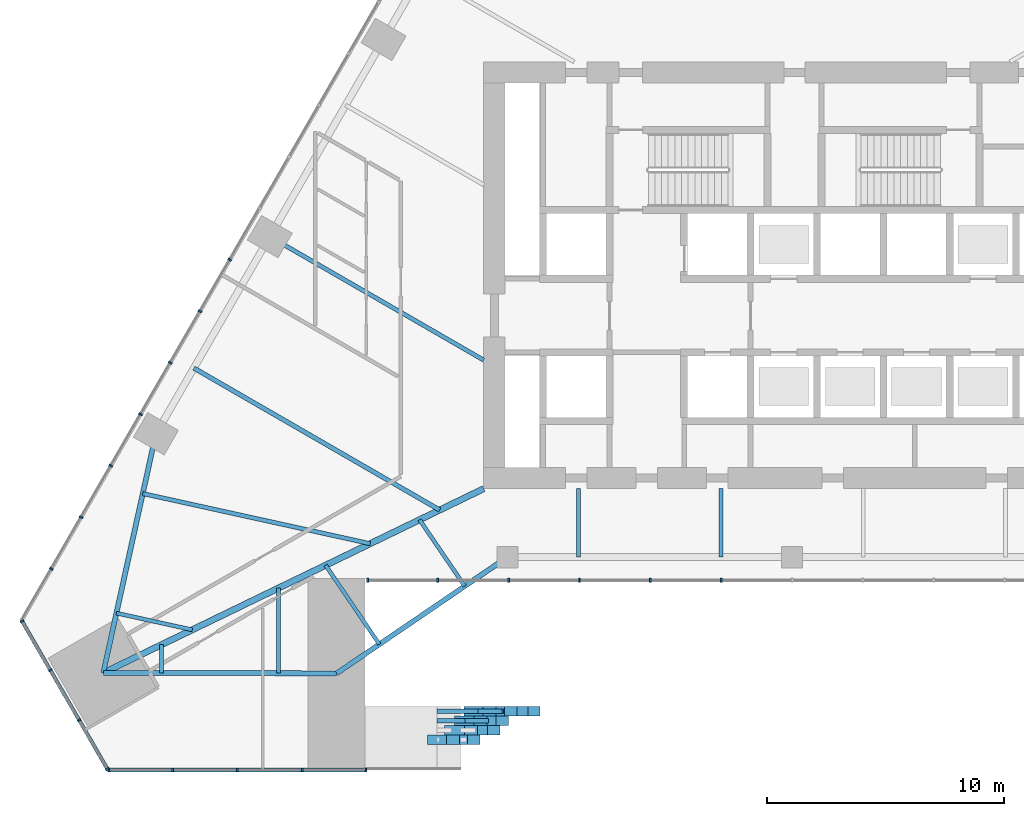
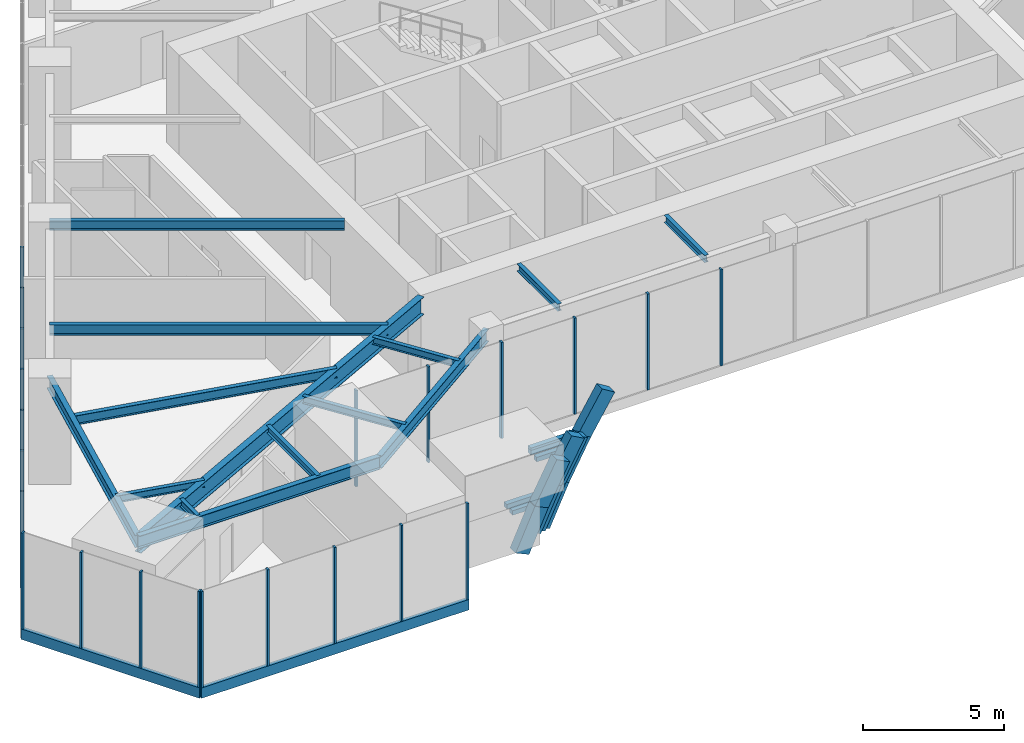
# One storey, part 3 of 30: 33 members, 19 beams, 4 elements without a shape of their own.
"""IFC4 building model written with IfcOpenShell, lengths in metres."""

from ifc_helpers import new_model, si_unit, direction, frame, origin, origin_2d, place, context, subcontext, project, spatial, rectangle, i_section, extrude, material, layer, layer_set, material_profile, profile_set, type_object, element, aggregate, save


model = new_model("IFC4")

# Units and contexts
model_context = context("Model", 3, precision=1e-05, world=origin(), true_north=direction((0.0, 1.0)))
body_context = subcontext(model_context, "Body", "Model", "MODEL_VIEW")
ifc_project = project(units=[si_unit("LENGTHUNIT", "METRE"), si_unit("AREAUNIT", "SQUARE_METRE"), si_unit("VOLUMEUNIT", "CUBIC_METRE"), si_unit("PLANEANGLEUNIT", "RADIAN"), si_unit("MASSUNIT", "GRAM", prefix="KILO")], contexts=[model_context])

# Site, building, storey
site_placement = place(None, origin())
site = spatial("IfcSite", under=ifc_project, at=site_placement, CompositionType="ELEMENT")
building_placement = place(site_placement, origin())
building = spatial("IfcBuilding", under=site, at=building_placement, Name="Firuza Gate Tower and Library", CompositionType="ELEMENT")
storey_placement = place(building_placement, frame((0.0, 0.0, 12.60009765625)))
storey = spatial("IfcBuildingStorey", under=building, at=storey_placement, Name="L02", CompositionType="ELEMENT", Elevation=12.60009765625)

# Members
ifc_material_1 = material(Name="Concrete C60/75", Category="concrete")
ifc_material_profile_1 = material_profile(ifc_material_1, rectangle(XDim=0.39990234375, YDim=0.60009765625, at=origin_2d()))
ifc_profile_set_1 = profile_set([ifc_material_profile_1], Name="Concrete C60/75")
member_type_1 = type_object("IfcMemberType", Name="Arch rib 600x400", PredefinedType="USERDEFINED", material=ifc_profile_set_1)
member_1_placement = place(storey_placement, frame((59.913330078125, 55.415283203125, 0.425537109375), z_axis=(0.411692882507, 0.0, 0.911322648952), x_axis=(0.0, 1.0, 0.0)))
element("IfcMember", 1, at=member_1_placement, inside=storey, type_object=member_type_1, Name="Arch rib 1.8", ObjectType="ARCH RIB", PredefinedType="USERDEFINED", context=body_context, shape_type="SweptSolid", body=[
    extrude(rectangle(XDim=0.39990234375, YDim=0.60009765625, at=origin_2d()), origin(), (0.0, 0.0, 1.0), 1.91015625),
])
member_2_placement = place(storey_placement, frame((60.69970703125, 55.415283203125, 2.166259765625), z_axis=(0.462587848354, 0.0, 0.886573450175), x_axis=(0.0, 1.0, 0.0)))
element("IfcMember", 2, at=member_2_placement, inside=storey, type_object=member_type_1, Name="Arch rib 1.9", ObjectType="ARCH RIB", PredefinedType="USERDEFINED", context=body_context, shape_type="SweptSolid", body=[
    extrude(rectangle(XDim=0.39990234375, YDim=0.60009765625, at=origin_2d()), origin(), (0.0, 0.0, 1.0), 1.909912109375),
])
member_3_placement = place(storey_placement, frame((60.620849609375, 55.8154296875, 0.8310546875), z_axis=(0.429170304413, 0.0, 0.903223587939), x_axis=(0.0, 1.0, 0.0)))
element("IfcMember", 3, at=member_3_placement, inside=storey, type_object=member_type_1, Name="Arch rib 2.8", ObjectType="ARCH RIB", PredefinedType="USERDEFINED", context=body_context, shape_type="SweptSolid", body=[
    extrude(rectangle(XDim=0.39990234375, YDim=0.60009765625, at=origin_2d()), origin(), (0.0, 0.0, 1.0), 1.974609375),
])
member_4_placement = place(storey_placement, frame((61.46826171875, 55.8154296875, 2.614501953125), z_axis=(0.481890268122, 0.0, 0.876231572982), x_axis=(0.0, 1.0, 0.0)))
element("IfcMember", 4, at=member_4_placement, inside=storey, type_object=member_type_1, Name="Arch rib 2.9", ObjectType="ARCH RIB", PredefinedType="USERDEFINED", context=body_context, shape_type="SweptSolid", body=[
    extrude(rectangle(XDim=0.39990234375, YDim=0.60009765625, at=origin_2d()), origin(), (0.0, 0.0, 1.0), 1.974365234375),
])
for number, where, z_axis, x_axis, name in (
    (5, (61.034423828125, 56.21533203125, 0.554931640625), (0.425200760044, 0.0, 0.905099062898), (0.0, 1.0, 0.0), "Arch rib 3.8"),
    (6, (61.856201171875, 56.21533203125, 2.30419921875), (0.477373396216, 0.0, 0.878700540904), (0.0, 1.0, 0.0), "Arch rib 3.9"),
):
    element("IfcMember", number, at=place(storey_placement, frame(where, z_axis=z_axis, x_axis=x_axis)), inside=storey, type_object=member_type_1, Name=name, ObjectType="ARCH RIB", PredefinedType="USERDEFINED", context=body_context, shape_type="SweptSolid", body=[
        extrude(rectangle(XDim=0.39990234375, YDim=0.60009765625, at=origin_2d()), origin(), (0.0, 0.0, 1.0), 1.9326171875),
    ])
member_5_placement = place(storey_placement, frame((61.447998046875, 56.615478515625, 0.279296875), z_axis=(0.420997510254, 0.0, 0.907061793022), x_axis=(0.0, 1.0, 0.0)))
element("IfcMember", 7, at=member_5_placement, inside=storey, type_object=member_type_1, Name="Arch rib 4.8", ObjectType="ARCH RIB", PredefinedType="USERDEFINED", context=body_context, shape_type="SweptSolid", body=[
    extrude(rectangle(XDim=0.39990234375, YDim=0.60009765625, at=origin_2d()), origin(), (0.0, 0.0, 1.0), 1.89111328125),
])
member_6_placement = place(storey_placement, frame((62.244140625, 56.615478515625, 1.99462890625), z_axis=(0.472798144495, 0.0, 0.881170763565), x_axis=(0.0, 1.0, 0.0)))
element("IfcMember", 8, at=member_6_placement, inside=storey, type_object=member_type_1, Name="Arch rib 4.9", ObjectType="ARCH RIB", PredefinedType="USERDEFINED", context=body_context, shape_type="SweptSolid", body=[
    extrude(rectangle(XDim=0.39990234375, YDim=0.60009765625, at=origin_2d()), origin(), (0.0, 0.0, 1.0), 1.890869140625),
])
member_7_placement = place(storey_placement, frame((63.13818359375, 56.615478515625, 3.660888671875), z_axis=(0.52308868496, 0.0, 0.852278257183), x_axis=(0.0, 1.0, 0.0)))
element("IfcMember", 9, at=member_7_placement, inside=storey, type_object=member_type_1, Name="Arch rib 4.10", ObjectType="ARCH RIB", PredefinedType="USERDEFINED", context=body_context, shape_type="SweptSolid", body=[
    extrude(rectangle(XDim=0.39990234375, YDim=0.60009765625, at=origin_2d()), origin(), (0.0, 0.0, 1.0), 1.89111328125),
])

# Beams
ifc_material_2 = material(Name="Concrete C60/75", Category="concrete")
ifc_material_profile_2 = material_profile(ifc_material_2, rectangle(XDim=0.199951171875, YDim=0.199951171875, at=origin_2d()))
ifc_profile_set_2 = profile_set([ifc_material_profile_2], Name="Concrete C60/75")
beam_type_1 = type_object("IfcBeamType", Name="Arch rib bracket 200x200", PredefinedType="BEAM", material=ifc_profile_set_2)
beam_1_placement = place(storey_placement, frame((60.03125, 56.21533203125, 1.594482421875), z_axis=(1.0, 0.0, 0.0), x_axis=(0.0, 1.0, 0.0)))
element("IfcBeam", 10, at=beam_1_placement, inside=storey, type_object=beam_type_1, Name="Arch rib bracket 3.8", PredefinedType="BEAM", context=body_context, shape_type="SweptSolid", body=[
    extrude(rectangle(XDim=0.199951171875, YDim=0.199951171875, at=origin_2d()), origin(), (0.0, 0.0, 1.0), 1.169921875),
])
beam_2_placement = place(storey_placement, frame((61.0146484375, 56.21533203125, 3.552978515625), z_axis=(1.0, 0.0, 0.0), x_axis=(0.0, 1.0, 0.0)))
element("IfcBeam", 11, at=beam_2_placement, inside=storey, type_object=beam_type_1, Name="Arch rib bracket 3.9", PredefinedType="BEAM", context=body_context, shape_type="SweptSolid", body=[
    extrude(rectangle(XDim=0.199951171875, YDim=0.199951171875, at=origin_2d()), origin(), (0.0, 0.0, 1.0), 1.1884765625),
])
beam_3_placement = place(storey_placement, frame((60.03125, 56.615478515625, 1.62158203125), z_axis=(1.0, 0.0, 0.0), x_axis=(0.0, 1.0, 0.0)))
element("IfcBeam", 12, at=beam_3_placement, inside=storey, type_object=beam_type_1, Name="Arch rib bracket 4.8", PredefinedType="BEAM", context=body_context, shape_type="SweptSolid", body=[
    extrude(rectangle(XDim=0.199951171875, YDim=0.199951171875, at=origin_2d()), origin(), (0.0, 0.0, 1.0), 1.718994140625),
])
beam_4_placement = place(storey_placement, frame((61.0146484375, 56.615478515625, 3.61083984375), z_axis=(1.0, 0.0, 0.0), x_axis=(0.0, 1.0, 0.0)))
element("IfcBeam", 13, at=beam_4_placement, inside=storey, type_object=beam_type_1, Name="Arch rib bracket 4.9", PredefinedType="BEAM", context=body_context, shape_type="SweptSolid", body=[
    extrude(rectangle(XDim=0.199951171875, YDim=0.199951171875, at=origin_2d()), origin(), (0.0, 0.0, 1.0), 1.766357421875),
])
beam_5_placement = place(storey_placement, frame((61.0146484375, 56.615478515625, 3.7109375), z_axis=(1.0, 0.0, 0.0), x_axis=(0.0, 1.0, 0.0)))
element("IfcBeam", 14, at=beam_5_placement, inside=storey, type_object=beam_type_1, Name="Arch rib bracket 4.10", PredefinedType="BEAM", context=body_context, shape_type="SweptSolid", body=[
    extrude(rectangle(XDim=0.199951171875, YDim=0.199951171875, at=origin_2d()), origin(), (0.0, 0.0, 1.0), 1.812255859375),
])

# Curtain wall, members
ifc_material_3 = material(Name="Aluminium 6063-T6", Category="aluminium")
ifc_layer_1 = layer(ifc_material_3, 0.14990234375)
ifc_layer_set_1 = layer_set([ifc_layer_1], Name="Stick curtain wall, podium")
curtain_wall_type_1 = type_object("IfcCurtainWallType", Name="Stick curtain wall, podium", PredefinedType="NOTDEFINED", material=ifc_layer_set_1)
placement = place(storey_placement, origin())
curtain_wall_1 = element("IfcCurtainWall", 15, at=placement, inside=storey, type_object=curtain_wall_type_1, Name="CW5 L02 S", PredefinedType="NOTDEFINED")
ifc_material_4 = material(Name="Aluminium 6063-T6", Category="aluminium")
ifc_material_profile_3 = material_profile(ifc_material_4, rectangle(XDim=0.14990234375, YDim=0.080078125, at=origin_2d()))
ifc_profile_set_3 = profile_set([ifc_material_profile_3], Name="Aluminium 6063-T6")
member_type_2 = type_object("IfcMemberType", Name="Curtain wall mullion 80x150", PredefinedType="MULLION", material=ifc_profile_set_3)
member_8_placement = place(storey_placement, frame((46.19677734375, 54.140380859375, 0.14990234375), z_axis=(0.0, 0.0, 1.0), x_axis=(0.0, 1.0, 0.0)))
member_8 = element("IfcMember", 16, at=member_8_placement, type_object=member_type_2, Name="Mullion", PredefinedType="MULLION", context=body_context, shape_type="SweptSolid", body=[
    extrude(rectangle(XDim=0.14990234375, YDim=0.080078125, at=origin_2d()), origin(), (0.0, 0.0, 1.0), 4.14990234375),
])
member_9_placement = place(storey_placement, frame((48.88623046875, 54.140380859375, 0.14990234375), z_axis=(0.0, 0.0, 1.0), x_axis=(0.0, 1.0, 0.0)))
member_9 = element("IfcMember", 17, at=member_9_placement, type_object=member_type_2, Name="Mullion", PredefinedType="MULLION", context=body_context, shape_type="SweptSolid", body=[
    extrude(rectangle(XDim=0.14990234375, YDim=0.080078125, at=origin_2d()), origin(), (0.0, 0.0, 1.0), 4.14990234375),
])
member_10_placement = place(storey_placement, frame((51.615966796875, 54.140380859375, 0.14990234375), z_axis=(0.0, 0.0, 1.0), x_axis=(0.0, 1.0, 0.0)))
member_10 = element("IfcMember", 18, at=member_10_placement, type_object=member_type_2, Name="Mullion", PredefinedType="MULLION", context=body_context, shape_type="SweptSolid", body=[
    extrude(rectangle(XDim=0.14990234375, YDim=0.080078125, at=origin_2d()), origin(), (0.0, 0.0, 1.0), 4.14990234375),
])
member_11_placement = place(storey_placement, frame((54.345458984375, 54.140380859375, 0.14990234375), z_axis=(0.0, 0.0, 1.0), x_axis=(0.0, 1.0, 0.0)))
member_11 = element("IfcMember", 19, at=member_11_placement, type_object=member_type_2, Name="Mullion", PredefinedType="MULLION", context=body_context, shape_type="SweptSolid", body=[
    extrude(rectangle(XDim=0.14990234375, YDim=0.080078125, at=origin_2d()), origin(), (0.0, 0.0, 1.0), 4.14990234375),
])
member_12_placement = place(storey_placement, frame((57.034912109375, 54.140380859375, 0.14990234375), z_axis=(0.0, 0.0, 1.0), x_axis=(0.0, 1.0, 0.0)))
member_12 = element("IfcMember", 20, at=member_12_placement, type_object=member_type_2, Name="Mullion", PredefinedType="MULLION", context=body_context, shape_type="SweptSolid", body=[
    extrude(rectangle(XDim=0.14990234375, YDim=0.080078125, at=origin_2d()), origin(), (0.0, 0.0, 1.0), 4.14990234375),
])

ifc_material_5 = material(Name="Aluminium 6063-T6", Category="aluminium")
ifc_layer_2 = layer(ifc_material_5, 0.14990234375)
ifc_layer_set_2 = layer_set([ifc_layer_2], Name="Stick curtain wall, gate lobby")
curtain_wall_type_2 = type_object("IfcCurtainWallType", Name="Stick curtain wall, gate lobby", PredefinedType="NOTDEFINED", material=ifc_layer_set_2)
curtain_wall_2 = element("IfcCurtainWall", 21, at=placement, inside=storey, type_object=curtain_wall_type_2, Name="CW7 L02 gate lobby", PredefinedType="NOTDEFINED")
member_13_placement = place(storey_placement, frame((57.114990234375, 62.140380859375, 0.14990234375), z_axis=(0.0, 0.0, 1.0), x_axis=(0.0, 1.0, 0.0)))
member_13 = element("IfcMember", 22, at=member_13_placement, type_object=member_type_2, Name="Mullion", PredefinedType="MULLION", context=body_context, shape_type="SweptSolid", body=[
    extrude(rectangle(XDim=0.14990234375, YDim=0.080078125, at=origin_2d()), origin(), (0.0, 0.0, 1.0), 4.14990234375),
])
member_14_placement = place(storey_placement, frame((60.0625, 62.140380859375, 0.14990234375), z_axis=(0.0, 0.0, 1.0), x_axis=(0.0, 1.0, 0.0)))
member_14 = element("IfcMember", 23, at=member_14_placement, type_object=member_type_2, Name="Mullion", PredefinedType="MULLION", context=body_context, shape_type="SweptSolid", body=[
    extrude(rectangle(XDim=0.14990234375, YDim=0.080078125, at=origin_2d()), origin(), (0.0, 0.0, 1.0), 4.14990234375),
])
member_15_placement = place(storey_placement, frame((63.050048828125, 62.140380859375, 0.14990234375), z_axis=(0.0, 0.0, 1.0), x_axis=(0.0, 1.0, 0.0)))
member_15 = element("IfcMember", 24, at=member_15_placement, type_object=member_type_2, Name="Mullion", PredefinedType="MULLION", context=body_context, shape_type="SweptSolid", body=[
    extrude(rectangle(XDim=0.14990234375, YDim=0.080078125, at=origin_2d()), origin(), (0.0, 0.0, 1.0), 4.14990234375),
])
member_16_placement = place(storey_placement, frame((66.03759765625, 62.140380859375, 0.14990234375), z_axis=(0.0, 0.0, 1.0), x_axis=(0.0, 1.0, 0.0)))
member_16 = element("IfcMember", 25, at=member_16_placement, type_object=member_type_2, Name="Mullion", PredefinedType="MULLION", context=body_context, shape_type="SweptSolid", body=[
    extrude(rectangle(XDim=0.14990234375, YDim=0.080078125, at=origin_2d()), origin(), (0.0, 0.0, 1.0), 4.14990234375),
])
member_17_placement = place(storey_placement, frame((69.02490234375, 62.140380859375, 0.14990234375), z_axis=(0.0, 0.0, 1.0), x_axis=(0.0, 1.0, 0.0)))
member_17 = element("IfcMember", 26, at=member_17_placement, type_object=member_type_2, Name="Mullion", PredefinedType="MULLION", context=body_context, shape_type="SweptSolid", body=[
    extrude(rectangle(XDim=0.14990234375, YDim=0.080078125, at=origin_2d()), origin(), (0.0, 0.0, 1.0), 4.14990234375),
])
member_18_placement = place(storey_placement, frame((72.012451171875, 62.140380859375, 0.14990234375), z_axis=(0.0, 0.0, 1.0), x_axis=(0.0, 1.0, 0.0)))
member_18 = element("IfcMember", 27, at=member_18_placement, type_object=member_type_2, Name="Mullion", PredefinedType="MULLION", context=body_context, shape_type="SweptSolid", body=[
    extrude(rectangle(XDim=0.14990234375, YDim=0.080078125, at=origin_2d()), origin(), (0.0, 0.0, 1.0), 4.14990234375),
])
aggregate(curtain_wall_2, [member_13, member_14, member_15, member_16, member_17, member_18])

curtain_wall_3 = element("IfcCurtainWall", 28, at=placement, inside=storey, type_object=curtain_wall_type_1, Name="CW5 L02 W", PredefinedType="NOTDEFINED")
member_19_placement = place(storey_placement, frame((51.291748046875, 75.655517578125, 0.14990234375), z_axis=(0.0, 0.0, 1.0), x_axis=(0.866025403784, -0.5, 0.0)))
member_19 = element("IfcMember", 29, at=member_19_placement, type_object=member_type_2, Name="Mullion", PredefinedType="MULLION", context=body_context, shape_type="SweptSolid", body=[
    extrude(rectangle(XDim=0.14990234375, YDim=0.080078125, at=origin_2d()), origin(), (0.0, 0.0, 1.0), 4.14990234375),
])
member_20_placement = place(storey_placement, frame((50.037841796875, 73.4833984375, 0.14990234375), z_axis=(0.0, 0.0, 1.0), x_axis=(0.866025403784, -0.5, 0.0)))
member_20 = element("IfcMember", 30, at=member_20_placement, type_object=member_type_2, Name="Mullion", PredefinedType="MULLION", context=body_context, shape_type="SweptSolid", body=[
    extrude(rectangle(XDim=0.14990234375, YDim=0.080078125, at=origin_2d()), origin(), (0.0, 0.0, 1.0), 4.14990234375),
])
member_21_placement = place(storey_placement, frame((48.78369140625, 71.311279296875, 0.14990234375), z_axis=(0.0, 0.0, 1.0), x_axis=(0.866025403784, -0.5, 0.0)))
member_21 = element("IfcMember", 31, at=member_21_placement, type_object=member_type_2, Name="Mullion", PredefinedType="MULLION", context=body_context, shape_type="SweptSolid", body=[
    extrude(rectangle(XDim=0.14990234375, YDim=0.080078125, at=origin_2d()), origin(), (0.0, 0.0, 1.0), 4.14990234375),
])
member_22_placement = place(storey_placement, frame((47.529541015625, 69.13916015625, 0.14990234375), z_axis=(0.0, 0.0, 1.0), x_axis=(0.866025403784, -0.5, 0.0)))
member_22 = element("IfcMember", 32, at=member_22_placement, type_object=member_type_2, Name="Mullion", PredefinedType="MULLION", context=body_context, shape_type="SweptSolid", body=[
    extrude(rectangle(XDim=0.14990234375, YDim=0.080078125, at=origin_2d()), origin(), (0.0, 0.0, 1.0), 4.14990234375),
])
member_23_placement = place(storey_placement, frame((46.275634765625, 66.967041015625, 0.14990234375), z_axis=(0.0, 0.0, 1.0), x_axis=(0.866025403784, -0.5, 0.0)))
member_23 = element("IfcMember", 33, at=member_23_placement, type_object=member_type_2, Name="Mullion", PredefinedType="MULLION", context=body_context, shape_type="SweptSolid", body=[
    extrude(rectangle(XDim=0.14990234375, YDim=0.080078125, at=origin_2d()), origin(), (0.0, 0.0, 1.0), 4.14990234375),
])
member_24_placement = place(storey_placement, frame((45.021484375, 64.794921875, 0.14990234375), z_axis=(0.0, 0.0, 1.0), x_axis=(0.866025403784, -0.5, 0.0)))
member_24 = element("IfcMember", 34, at=member_24_placement, type_object=member_type_2, Name="Mullion", PredefinedType="MULLION", context=body_context, shape_type="SweptSolid", body=[
    extrude(rectangle(XDim=0.14990234375, YDim=0.080078125, at=origin_2d()), origin(), (0.0, 0.0, 1.0), 4.14990234375),
])
member_25_placement = place(storey_placement, frame((43.767333984375, 62.622802734375, 0.14990234375), z_axis=(0.0, 0.0, 1.0), x_axis=(0.866025403784, -0.5, 0.0)))
member_25 = element("IfcMember", 35, at=member_25_placement, type_object=member_type_2, Name="Mullion", PredefinedType="MULLION", context=body_context, shape_type="SweptSolid", body=[
    extrude(rectangle(XDim=0.14990234375, YDim=0.080078125, at=origin_2d()), origin(), (0.0, 0.0, 1.0), 4.14990234375),
])
aggregate(curtain_wall_3, [member_19, member_20, member_21, member_22, member_23, member_24, member_25])

curtain_wall_4 = element("IfcCurtainWall", 36, at=placement, inside=storey, type_object=curtain_wall_type_1, Name="CW5 L02 SW", PredefinedType="NOTDEFINED")
member_26_placement = place(storey_placement, frame((42.533447265625, 60.416015625, 0.14990234375), z_axis=(0.0, 0.0, 1.0), x_axis=(0.866025403784, 0.5, 0.0)))
member_26 = element("IfcMember", 37, at=member_26_placement, type_object=member_type_2, Name="Mullion", PredefinedType="MULLION", context=body_context, shape_type="SweptSolid", body=[
    extrude(rectangle(XDim=0.14990234375, YDim=0.080078125, at=origin_2d()), origin(), (0.0, 0.0, 1.0), 4.14990234375),
])
member_27_placement = place(storey_placement, frame((43.727783203125, 58.347412109375, 0.14990234375), z_axis=(0.0, 0.0, 1.0), x_axis=(0.866025403784, 0.5, 0.0)))
member_27 = element("IfcMember", 38, at=member_27_placement, type_object=member_type_2, Name="Mullion", PredefinedType="MULLION", context=body_context, shape_type="SweptSolid", body=[
    extrude(rectangle(XDim=0.14990234375, YDim=0.080078125, at=origin_2d()), origin(), (0.0, 0.0, 1.0), 4.14990234375),
])
member_28_placement = place(storey_placement, frame((44.9423828125, 56.243896484375, 0.14990234375), z_axis=(0.0, 0.0, 1.0), x_axis=(0.866025403784, 0.5, 0.0)))
member_28 = element("IfcMember", 39, at=member_28_placement, type_object=member_type_2, Name="Mullion", PredefinedType="MULLION", context=body_context, shape_type="SweptSolid", body=[
    extrude(rectangle(XDim=0.14990234375, YDim=0.080078125, at=origin_2d()), origin(), (0.0, 0.0, 1.0), 4.14990234375),
])
member_29_placement = place(storey_placement, frame((46.13671875, 54.175048828125, 0.14990234375), z_axis=(0.0, 0.0, 1.0), x_axis=(0.866025403784, 0.5, 0.0)))
member_29 = element("IfcMember", 40, at=member_29_placement, type_object=member_type_2, Name="Mullion", PredefinedType="MULLION", context=body_context, shape_type="SweptSolid", body=[
    extrude(rectangle(XDim=0.14990234375, YDim=0.080078125, at=origin_2d()), origin(), (0.0, 0.0, 1.0), 4.14990234375),
])

# Member
ifc_material_6 = material(Name="Aluminium 6063-T6", Category="aluminium")
ifc_material_profile_4 = material_profile(ifc_material_6, rectangle(XDim=0.14990234375, YDim=0.449951171875, at=origin_2d()))
ifc_profile_set_4 = profile_set([ifc_material_profile_4], Name="Aluminium 6063-T6")
member_type_3 = type_object("IfcMemberType", Name="Curtain wall transom 450x150", PredefinedType="USERDEFINED", material=ifc_profile_set_4)
member_30_placement = place(storey_placement, frame((46.15673828125, 54.140380859375, -0.0751953125), z_axis=(1.0, 0.0, 0.0), x_axis=(0.0, 1.0, 0.0)))
member_30 = element("IfcMember", 41, at=member_30_placement, type_object=member_type_3, Name="Transom", ObjectType="TRANSOM", PredefinedType="USERDEFINED", context=body_context, shape_type="SweptSolid", body=[
    extrude(rectangle(XDim=0.14990234375, YDim=0.449951171875, at=origin_2d()), origin(), (0.0, 0.0, 1.0), 10.918212890625),
])

aggregate(curtain_wall_1, [member_8, member_9, member_10, member_11, member_12, member_30])

member_31_placement = place(storey_placement, frame((42.513427734375, 60.45068359375, -0.0751953125), z_axis=(0.500005719219, -0.866022101766, 0.0), x_axis=(0.866022101766, 0.500005719219, 0.0)))
member_31 = element("IfcMember", 42, at=member_31_placement, type_object=member_type_3, Name="Transom", ObjectType="TRANSOM", PredefinedType="USERDEFINED", context=body_context, shape_type="SweptSolid", body=[
    extrude(rectangle(XDim=0.14990234375, YDim=0.449951171875, at=origin_2d()), origin(), (0.0, 0.0, 1.0), 7.28662109375),
])

aggregate(curtain_wall_4, [member_26, member_27, member_28, member_29, member_31])

# Beams
ifc_material_7 = material(Name="Steel S355", Category="steel")
ifc_material_profile_5 = material_profile(ifc_material_7, i_section(OverallWidth=0.1650390625, OverallDepth=0.31005859375, WebThickness=0.005859375, FlangeThickness=0.009765625, at=origin_2d()))
ifc_profile_set_5 = profile_set([ifc_material_profile_5], Name="Steel S355")
beam_type_2 = type_object("IfcBeamType", Name="W310x39 Floor beam", PredefinedType="JOIST", material=ifc_profile_set_5)
beam_6_placement = place(storey_placement, frame((46.513916015625, 60.75341796875, 4.14501953125), z_axis=(0.976601243751, -0.215058156564, 0.0), x_axis=(0.215058156564, 0.976601243751, 0.0)))
element("IfcBeam", 43, at=beam_6_placement, inside=storey, type_object=beam_type_2, Name="Floor beam L02 s01", PredefinedType="JOIST", context=body_context, shape_type="SweptSolid", body=[
    extrude(i_section(OverallWidth=0.1650390625, OverallDepth=0.31005859375, WebThickness=0.005859375, FlangeThickness=0.009765625, at=origin_2d()), origin(), (0.0, 0.0, 1.0), 3.27294921875),
])
beam_7_placement = place(storey_placement, frame((48.419189453125, 58.228759765625, 4.14501953125), z_axis=(0.00183635683, 0.999998313895, 0.0), x_axis=(-0.999998313895, 0.00183635683, 0.0)))
element("IfcBeam", 44, at=beam_7_placement, inside=storey, type_object=beam_type_2, Name="Floor beam L02 s10", PredefinedType="JOIST", context=body_context, shape_type="SweptSolid", body=[
    extrude(i_section(OverallWidth=0.1650390625, OverallDepth=0.31005859375, WebThickness=0.005859375, FlangeThickness=0.009765625, at=origin_2d()), origin(), (0.0, 0.0, 1.0), 1.196533203125),
])
beam_8_placement = place(storey_placement, frame((53.339599609375, 58.2197265625, 4.14501953125), z_axis=(0.001836107072, 0.999998314354, 0.0), x_axis=(-0.999998314354, 0.001836107072, 0.0)))
element("IfcBeam", 45, at=beam_8_placement, inside=storey, type_object=beam_type_2, Name="Floor beam L02 s11", PredefinedType="JOIST", context=body_context, shape_type="SweptSolid", body=[
    extrude(i_section(OverallWidth=0.1650390625, OverallDepth=0.31005859375, WebThickness=0.005859375, FlangeThickness=0.009765625, at=origin_2d()), origin(), (0.0, 0.0, 1.0), 3.590087890625),
])
beam_9_placement = place(storey_placement, frame((57.60009765625, 59.4404296875, 4.14501953125), z_axis=(-0.562657973934, 0.826689787265, 0.0), x_axis=(-0.826689787265, -0.562657973934, 0.0)))
element("IfcBeam", 46, at=beam_9_placement, inside=storey, type_object=beam_type_2, Name="Floor beam L02 s20", PredefinedType="JOIST", context=body_context, shape_type="SweptSolid", body=[
    extrude(i_section(OverallWidth=0.1650390625, OverallDepth=0.31005859375, WebThickness=0.005859375, FlangeThickness=0.009765625, at=origin_2d()), origin(), (0.0, 0.0, 1.0), 4.02978515625),
])
beam_10_placement = place(storey_placement, frame((61.199951171875, 61.890380859375, 4.14501953125), z_axis=(-0.562593933168, 0.826733370781, 0.0), x_axis=(-0.826733370781, -0.562593933168, 0.0)))
element("IfcBeam", 47, at=beam_10_placement, inside=storey, type_object=beam_type_2, Name="Floor beam L02 s21", PredefinedType="JOIST", context=body_context, shape_type="SweptSolid", body=[
    extrude(i_section(OverallWidth=0.1650390625, OverallDepth=0.31005859375, WebThickness=0.005859375, FlangeThickness=0.009765625, at=origin_2d()), origin(), (0.0, 0.0, 1.0), 3.386474609375),
])
for number, where, z_axis, x_axis, name in (
    (48, (66.0, 63.115478515625, 4.14501953125), (0.0, 1.0, 0.0), (-1.0, 0.0, 0.0), "Floor beam L02 s30"),
    (49, (72.0, 63.115478515625, 4.14501953125), (0.0, 1.0, 0.0), (-1.0, 0.0, 0.0), "Floor beam L02 s31"),
):
    element("IfcBeam", number, at=place(storey_placement, frame(where, z_axis=z_axis, x_axis=x_axis)), inside=storey, type_object=beam_type_2, Name=name, PredefinedType="JOIST", context=body_context, shape_type="SweptSolid", body=[
        extrude(i_section(OverallWidth=0.1650390625, OverallDepth=0.31005859375, WebThickness=0.005859375, FlangeThickness=0.009765625, at=origin_2d()), origin(), (0.0, 0.0, 1.0), 2.884521484375),
    ])
ifc_material_8 = material(Name="Steel S355", Category="steel")
ifc_material_profile_6 = material_profile(ifc_material_8, i_section(OverallWidth=0.177978515625, OverallDepth=0.406982421875, WebThickness=0.0078125, FlangeThickness=0.0126953125, at=origin_2d()))
ifc_profile_set_6 = profile_set([ifc_material_profile_6], Name="Steel S355")
beam_type_3 = type_object("IfcBeamType", Name="W410x60 Floor beam", PredefinedType="JOIST", material=ifc_profile_set_6)
beam_11_placement = place(storey_placement, frame((47.624267578125, 65.794189453125, 4.096435546875), z_axis=(0.97658964753, -0.215110809441, 0.0), x_axis=(0.215110809441, 0.97658964753, 0.0)))
element("IfcBeam", 50, at=beam_11_placement, inside=storey, type_object=beam_type_3, Name="Floor beam L02 s00", PredefinedType="JOIST", context=body_context, shape_type="SweptSolid", body=[
    extrude(i_section(OverallWidth=0.177978515625, OverallDepth=0.406982421875, WebThickness=0.0078125, FlangeThickness=0.0126953125, at=origin_2d()), origin(), (0.0, 0.0, 1.0), 9.818359375),
])
beam_12_placement = place(storey_placement, frame((52.9794921875, 76.62841796875, 4.096435546875), z_axis=(0.866024771944, -0.500001094379, 0.0), x_axis=(0.500001094379, 0.866024771944, 0.0)))
element("IfcBeam", 51, at=beam_12_placement, inside=storey, type_object=beam_type_3, Name="Floor beam L02 s104", PredefinedType="JOIST", context=body_context, shape_type="SweptSolid", body=[
    extrude(i_section(OverallWidth=0.177978515625, OverallDepth=0.406982421875, WebThickness=0.0078125, FlangeThickness=0.0126953125, at=origin_2d()), origin(), (0.0, 0.0, 1.0), 10.416015625),
])
ifc_material_9 = material(Name="Steel S355", Category="steel")
ifc_material_profile_7 = material_profile(ifc_material_9, i_section(OverallWidth=0.18994140625, OverallDepth=0.45703125, WebThickness=0.009033203125, FlangeThickness=0.014404296875, at=origin_2d()))
ifc_profile_set_7 = profile_set([ifc_material_profile_7], Name="Steel S355")
beam_type_4 = type_object("IfcBeamType", Name="W460x74 Floor beam", PredefinedType="JOIST", material=ifc_profile_set_7)
beam_13_placement = place(storey_placement, frame((49.779541015625, 71.0859375, 4.0712890625), z_axis=(0.866020154196, -0.500009092443, 0.0), x_axis=(0.500009092443, 0.866020154196, 0.0)))
element("IfcBeam", 52, at=beam_13_placement, inside=storey, type_object=beam_type_4, Name="Floor beam L02 s105", PredefinedType="JOIST", context=body_context, shape_type="SweptSolid", body=[
    extrude(i_section(OverallWidth=0.18994140625, OverallDepth=0.45703125, WebThickness=0.009033203125, FlangeThickness=0.014404296875, at=origin_2d()), origin(), (0.0, 0.0, 1.0), 11.968505859375),
])
ifc_material_10 = material(Name="Steel S355", Category="steel")
ifc_material_profile_8 = material_profile(ifc_material_10, i_section(OverallWidth=0.212890625, OverallDepth=0.5390625, WebThickness=0.01171875, FlangeThickness=0.018798828125, at=origin_2d()))
ifc_profile_set_8 = profile_set([ifc_material_profile_8], Name="Steel S355")
beam_type_5 = type_object("IfcBeamType", Name="W530x109 Edge beam", PredefinedType="SPANDREL", material=ifc_profile_set_8)
beam_14_placement = place(storey_placement, frame((48.179443359375, 68.314697265625, 4.030517578125), z_axis=(-0.215117130091, -0.976588255275, 0.0), x_axis=(0.976588255275, -0.215117130091, 0.0)))
element("IfcBeam", 53, at=beam_14_placement, inside=storey, type_object=beam_type_5, Name="Edge beam L02 e00", PredefinedType="SPANDREL", context=body_context, shape_type="SweptSolid", body=[
    extrude(i_section(OverallWidth=0.212890625, OverallDepth=0.5390625, WebThickness=0.01171875, FlangeThickness=0.018798828125, at=origin_2d()), origin(), (0.0, 0.0, 1.0), 10.3232421875),
])
beam_15_placement = place(storey_placement, frame((45.958740234375, 58.233154296875, 4.030517578125), z_axis=(0.999998360207, -0.001810962051, 0.0), x_axis=(0.001810962051, 0.999998360207, 0.0)))
element("IfcBeam", 54, at=beam_15_placement, inside=storey, type_object=beam_type_5, Name="Edge beam L02 e10", PredefinedType="SPANDREL", context=body_context, shape_type="SweptSolid", body=[
    extrude(i_section(OverallWidth=0.212890625, OverallDepth=0.5390625, WebThickness=0.01171875, FlangeThickness=0.018798828125, at=origin_2d()), origin(), (0.0, 0.0, 1.0), 9.84130859375),
])
beam_16_placement = place(storey_placement, frame((55.800048828125, 58.21533203125, 4.030517578125), z_axis=(0.826703281934, 0.562638146272, 0.0), x_axis=(-0.562638146272, 0.826703281934, 0.0)))
element("IfcBeam", 55, at=beam_16_placement, inside=storey, type_object=beam_type_5, Name="Edge beam L02 e20", PredefinedType="SPANDREL", context=body_context, shape_type="SweptSolid", body=[
    extrude(i_section(OverallWidth=0.212890625, OverallDepth=0.5390625, WebThickness=0.01171875, FlangeThickness=0.018798828125, at=origin_2d()), origin(), (0.0, 0.0, 1.0), 8.709228515625),
])
ifc_material_11 = material(Name="Steel S355", Category="steel")
ifc_material_profile_9 = material_profile(ifc_material_11, i_section(OverallWidth=0.264892578125, OverallDepth=0.7529296875, WebThickness=0.01318359375, FlangeThickness=0.01708984375, at=origin_2d()))
ifc_profile_set_9 = profile_set([ifc_material_profile_9], Name="Steel S355")
beam_type_6 = type_object("IfcBeamType", Name="W760x147 Girder", PredefinedType="BEAM", material=ifc_profile_set_9)
beam_17_placement = place(storey_placement, frame((45.958740234375, 58.233154296875, 3.92333984375), z_axis=(0.900050421894, 0.43578577082, 0.0), x_axis=(-0.43578577082, 0.900050421894, 0.0)))
element("IfcBeam", 56, at=beam_17_placement, inside=storey, type_object=beam_type_6, Name="Girder L02 gSW", PredefinedType="BEAM", context=body_context, shape_type="SweptSolid", body=[
    extrude(i_section(OverallWidth=0.264892578125, OverallDepth=0.7529296875, WebThickness=0.01318359375, FlangeThickness=0.01708984375, at=origin_2d()), origin(), (0.0, 0.0, 1.0), 17.822509765625),
])

save(model, "model.ifc")
